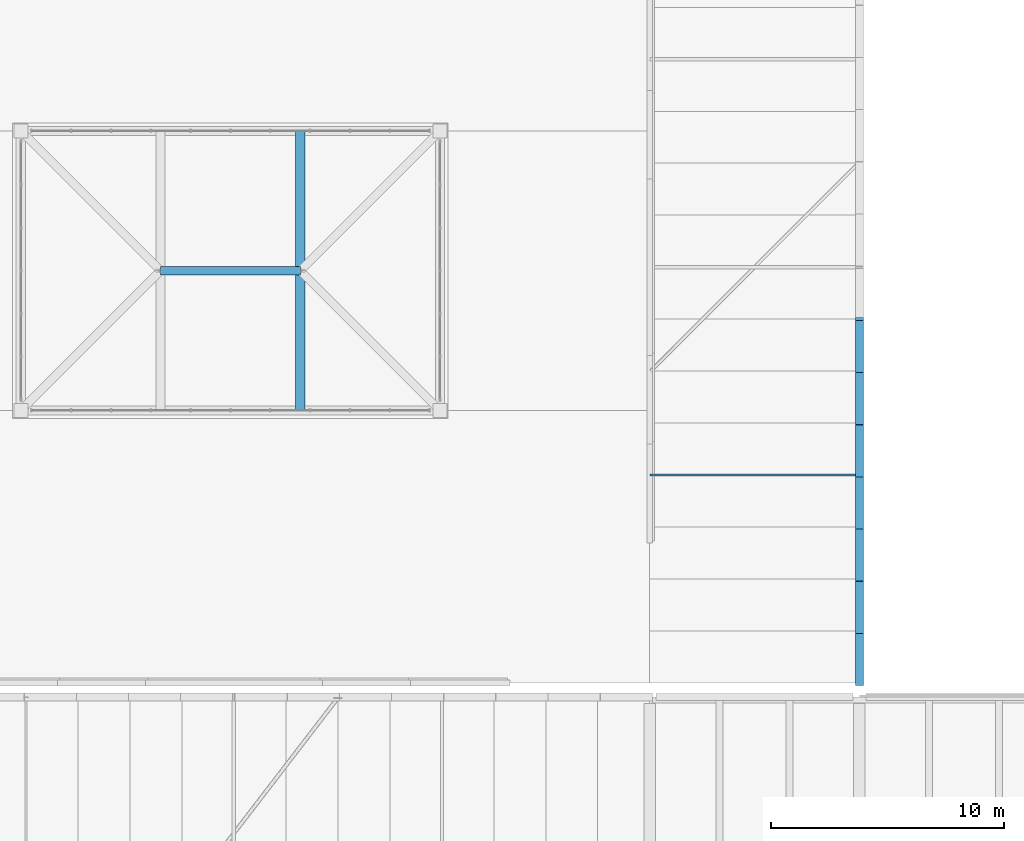
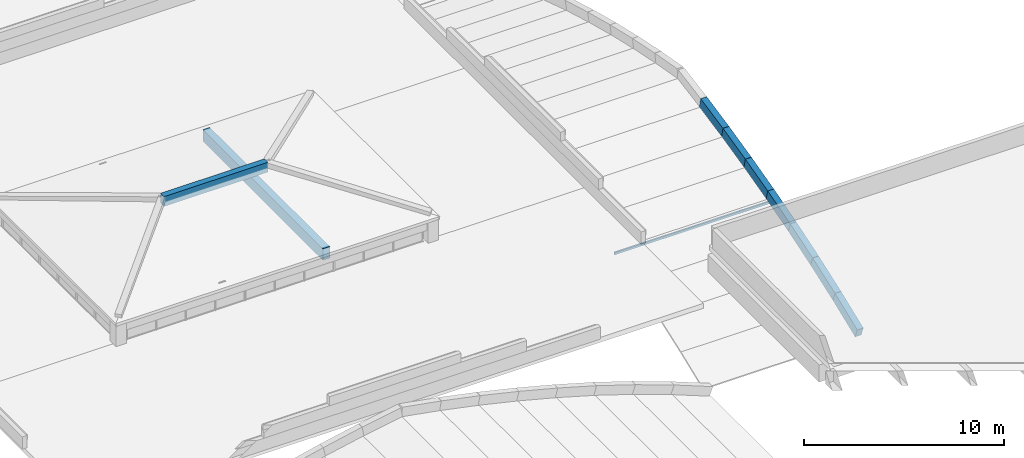
# One storey, part 37 of 56: 9 beams, 1 member.
"""IFC4 building model written with IfcOpenShell, lengths in metres."""

from ifc_helpers import new_model, si_unit, direction, frame, origin, origin_2d, place, context, subcontext, project, spatial, rectangle, hollow_rectangle, extrude, material, material_profile, profile_set, type_object, element, save


model = new_model("IFC4")

# Units and contexts
model_context = context("Model", 3, precision=1e-05, world=origin(), true_north=direction((0.0, 1.0)))
body_context = subcontext(model_context, "Body", "Model", "MODEL_VIEW")
ifc_project = project(units=[si_unit("LENGTHUNIT", "METRE"), si_unit("AREAUNIT", "SQUARE_METRE"), si_unit("VOLUMEUNIT", "CUBIC_METRE"), si_unit("PLANEANGLEUNIT", "RADIAN"), si_unit("MASSUNIT", "GRAM", prefix="KILO")], contexts=[model_context])

# Site, building, storey
site_placement = place(None, origin())
site = spatial("IfcSite", under=ifc_project, at=site_placement, CompositionType="ELEMENT")
building_placement = place(site_placement, origin())
building = spatial("IfcBuilding", under=site, at=building_placement, Name="Zacnel Wholesale Market", CompositionType="ELEMENT")
storey_placement = place(building_placement, frame((0.0, 0.0, 20.300048828125)))
storey = spatial("IfcBuildingStorey", under=building, at=storey_placement, Name="RF", CompositionType="ELEMENT", Elevation=20.300048828125)

# Beams
ifc_material_1 = material(Name="Concrete C40/50", Category="concrete")
ifc_material_profile_1 = material_profile(ifc_material_1, rectangle(XDim=0.35009765625, YDim=0.60009765625, at=origin_2d()), Name="ARCH RIB 350x600")
ifc_profile_set_1 = profile_set([ifc_material_profile_1], Name="Concrete C40/50")
beam_type_1 = type_object("IfcBeamType", Name="BM-AR600", PredefinedType="USERDEFINED", material=ifc_profile_set_1)
beam_1_placement = place(storey_placement, frame((189.0, 96.300048828125, -8.830078125), z_axis=(0.0, 0.930242102492, 0.366946359501), x_axis=(-1.0, 0.0, 0.0)))
element("IfcBeam", 1, at=beam_1_placement, inside=storey, type_object=beam_type_1, Name="Extrados arch rib north_east-189.0-S01", ObjectType="ARCH RIB", PredefinedType="USERDEFINED", context=body_context, shape_type="SweptSolid", body=[
    extrude(rectangle(XDim=0.35009765625, YDim=0.60009765625, at=origin_2d()), origin(), (0.0, 0.0, 1.0), 2.3984375),
])
beam_2_placement = place(storey_placement, frame((189.0, 98.53125, -7.949951171875), z_axis=(0.0, 0.941347429701, 0.337438907944), x_axis=(-1.0, 0.0, 0.0)))
element("IfcBeam", 2, at=beam_2_placement, inside=storey, type_object=beam_type_1, Name="Extrados arch rib north_east-189.0-S02", ObjectType="ARCH RIB", PredefinedType="USERDEFINED", context=body_context, shape_type="SweptSolid", body=[
    extrude(rectangle(XDim=0.35009765625, YDim=0.60009765625, at=origin_2d()), origin(), (0.0, 0.0, 1.0), 2.3701171875),
])
beam_3_placement = place(storey_placement, frame((189.0, 100.762451171875, -7.150146484375), z_axis=(0.0, 0.951649713947, 0.307185321823), x_axis=(-1.0, 0.0, 0.0)))
element("IfcBeam", 3, at=beam_3_placement, inside=storey, type_object=beam_type_1, Name="Extrados arch rib north_east-189.0-S03", ObjectType="ARCH RIB", PredefinedType="USERDEFINED", context=body_context, shape_type="SweptSolid", body=[
    extrude(rectangle(XDim=0.35009765625, YDim=0.60009765625, at=origin_2d()), origin(), (0.0, 0.0, 1.0), 2.344482421875),
])
beam_4_placement = place(storey_placement, frame((189.0, 102.99365234375, -6.429931640625), z_axis=(0.0, 0.961257594689, 0.275651658171), x_axis=(-1.0, 0.0, 0.0)))
element("IfcBeam", 4, at=beam_4_placement, inside=storey, type_object=beam_type_1, Name="Extrados arch rib north_east-189.0-S04", ObjectType="ARCH RIB", PredefinedType="USERDEFINED", context=body_context, shape_type="SweptSolid", body=[
    extrude(rectangle(XDim=0.35009765625, YDim=0.60009765625, at=origin_2d()), origin(), (0.0, 0.0, 1.0), 2.3212890625),
])
beam_5_placement = place(storey_placement, frame((189.0, 105.22509765625, -5.7900390625), z_axis=(0.0, 0.967826117389, 0.251619964429), x_axis=(-1.0, 0.0, 0.0)))
element("IfcBeam", 5, at=beam_5_placement, inside=storey, type_object=beam_type_1, Name="Extrados arch rib north_east-189.0-S05", ObjectType="ARCH RIB", PredefinedType="USERDEFINED", context=body_context, shape_type="SweptSolid", body=[
    extrude(rectangle(XDim=0.35009765625, YDim=0.60009765625, at=origin_2d()), origin(), (0.0, 0.0, 1.0), 2.305419921875),
])
beam_6_placement = place(storey_placement, frame((189.0, 107.456298828125, -5.2099609375), z_axis=(0.0, 0.973898559906, 0.226983688872), x_axis=(-1.0, 0.0, 0.0)))
element("IfcBeam", 6, at=beam_6_placement, inside=storey, type_object=beam_type_1, Name="Extrados arch rib north_east-189.0-S06", ObjectType="ARCH RIB", PredefinedType="USERDEFINED", context=body_context, shape_type="SweptSolid", body=[
    extrude(rectangle(XDim=0.35009765625, YDim=0.60009765625, at=origin_2d()), origin(), (0.0, 0.0, 1.0), 2.291015625),
])
beam_7_placement = place(storey_placement, frame((189.0, 109.6875, -4.68994140625), z_axis=(0.0, 0.979405339386, 0.201903890951), x_axis=(-1.0, 0.0, 0.0)))
element("IfcBeam", 7, at=beam_7_placement, inside=storey, type_object=beam_type_1, Name="Extrados arch rib north_east-189.0-S07", ObjectType="ARCH RIB", PredefinedType="USERDEFINED", context=body_context, shape_type="SweptSolid", body=[
    extrude(rectangle(XDim=0.35009765625, YDim=0.60009765625, at=origin_2d()), origin(), (0.0, 0.0, 1.0), 2.278076171875),
])
beam_8_placement = place(storey_placement, frame((159.0, 114.0, -0.969970703125), z_axis=(1.0, 0.0, 0.0), x_axis=(0.0, 1.0, 0.0)))
element("IfcBeam", 8, at=beam_8_placement, inside=storey, type_object=beam_type_1, Name="Hipped crown ridge STR-ROOF-V1-XLANTERN", ObjectType="ARCH RIB", PredefinedType="USERDEFINED", context=body_context, shape_type="SweptSolid", body=[
    extrude(rectangle(XDim=0.35009765625, YDim=0.60009765625, at=origin_2d()), origin(), (0.0, 0.0, 1.0), 6.0),
])
ifc_material_2 = material(Name="Precast concrete C45/55", Category="concrete")
ifc_material_profile_2 = material_profile(ifc_material_2, rectangle(XDim=0.39990234375, YDim=0.699951171875, at=origin_2d()), Name="PG 400x700")
ifc_profile_set_2 = profile_set([ifc_material_profile_2], Name="Precast concrete C45/55")
beam_type_2 = type_object("IfcBeamType", Name="BM-PG700", PredefinedType="BEAM", material=ifc_profile_set_2)
beam_9_placement = place(storey_placement, frame((165.0, 108.0, -2.699951171875), z_axis=(0.0, 1.0, 0.0), x_axis=(-1.0, 0.0, 0.0)))
element("IfcBeam", 9, at=beam_9_placement, inside=storey, type_object=beam_type_2, Name="Hipped crown tie beam STR-ROOF-V1-XLANTERN-2", PredefinedType="BEAM", context=body_context, shape_type="SweptSolid", body=[
    extrude(rectangle(XDim=0.39990234375, YDim=0.699951171875, at=origin_2d()), origin(), (0.0, 0.0, 1.0), 12.0),
])

# Member
ifc_material_3 = material(Name="Steel S355", Category="steel")
ifc_material_profile_3 = material_profile(ifc_material_3, hollow_rectangle(XDim=0.10009765625, YDim=0.14990234375, WallThickness=0.008056640625, InnerFilletRadius=0.008056640625, OuterFilletRadius=0.01611328125, at=origin_2d()), Name="HSS 150x100x8")
ifc_profile_set_3 = profile_set([ifc_material_profile_3], Name="Steel S355")
member_type = type_object("IfcMemberType", Name="MEM-PUR-HSS150", PredefinedType="PURLIN", material=ifc_profile_set_3)
member_placement = place(storey_placement, frame((180.02001953125, 105.22509765625, -6.27001953125), z_axis=(1.0, 0.0, 0.0), x_axis=(0.0, 1.0, 0.0)))
element("IfcMember", 10, at=member_placement, inside=storey, type_object=member_type, Name="Shell longitudinal tie purlin 0025", PredefinedType="PURLIN", context=body_context, shape_type="SweptSolid", body=[
    extrude(hollow_rectangle(XDim=0.10009765625, YDim=0.14990234375, WallThickness=0.008056640625, InnerFilletRadius=0.008056640625, OuterFilletRadius=0.01611328125, at=origin_2d()), origin(), (0.0, 0.0, 1.0), 8.9599609375),
])

save(model, "model.ifc")
